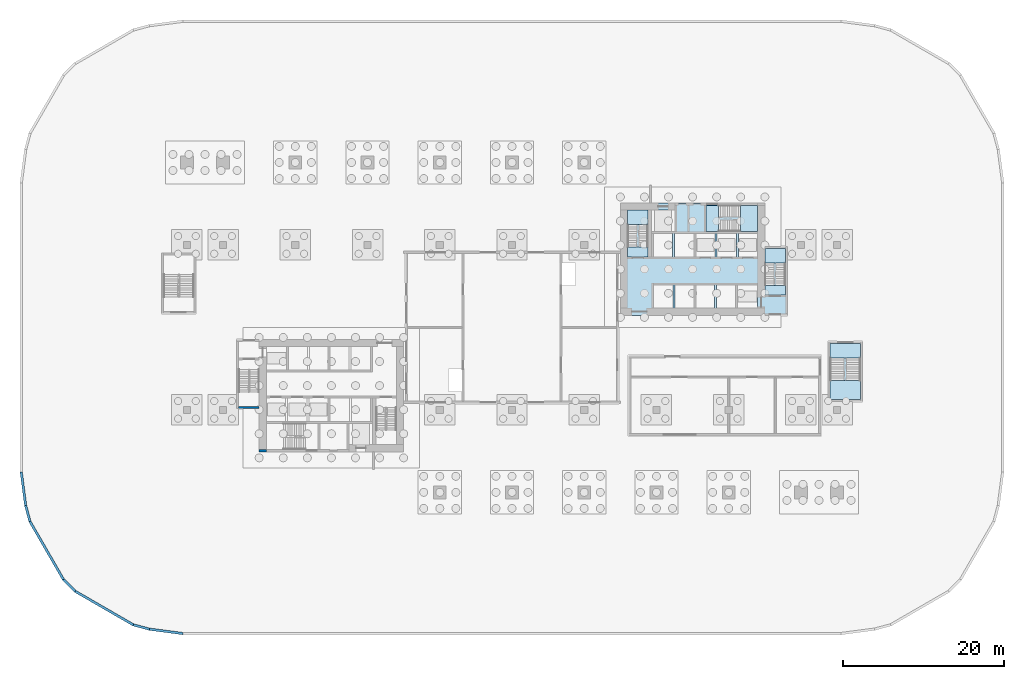
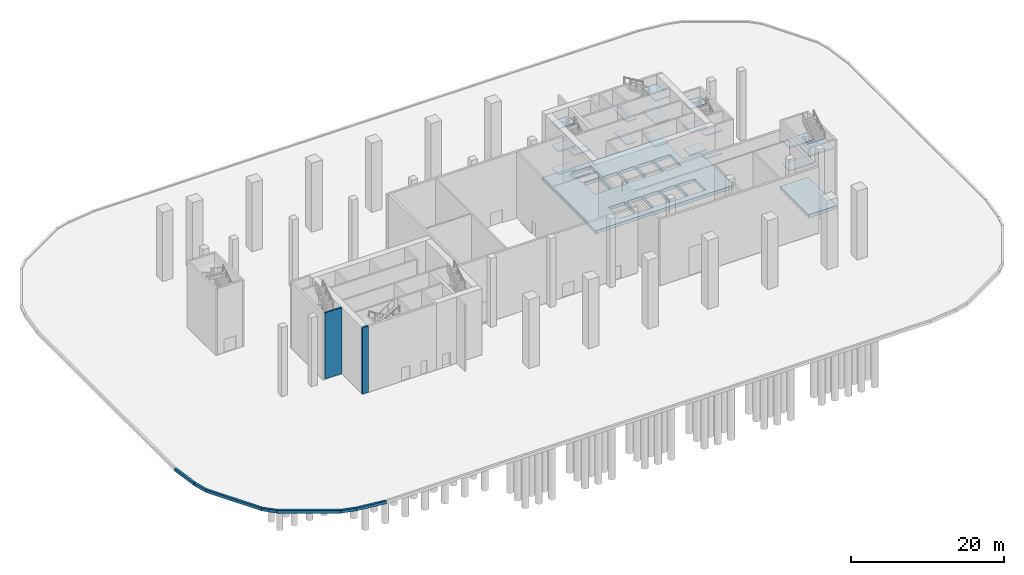
# One storey, part 3 of 26: 20 slabs, 9 walls, 4 elements without a shape of their own.
"""IFC4 building model written with IfcOpenShell, lengths in metres."""

from ifc_helpers import new_model, si_unit, direction, frame, frame_2d, origin, place, context, subcontext, project, spatial, polyline, rectangle, outline, extrude, material, layer, layer_set, type_object, element, aggregate, save


model = new_model("IFC4")

# Units and contexts
model_context = context("Model", 3, precision=1e-05, world=origin(), true_north=direction((0.0, 1.0)))
body_context = subcontext(model_context, "Body", "Model", "MODEL_VIEW")
ifc_project = project(units=[si_unit("LENGTHUNIT", "METRE"), si_unit("AREAUNIT", "SQUARE_METRE"), si_unit("VOLUMEUNIT", "CUBIC_METRE"), si_unit("PLANEANGLEUNIT", "RADIAN"), si_unit("MASSUNIT", "GRAM", prefix="KILO")], contexts=[model_context])

# Site, building, storey
site_placement = place(None, origin())
site = spatial("IfcSite", under=ifc_project, at=site_placement, CompositionType="ELEMENT")
building_placement = place(site_placement, origin())
building = spatial("IfcBuilding", under=site, at=building_placement, Name="Kajstack Hotel Tower", CompositionType="ELEMENT")
storey_placement = place(building_placement, origin())
storey = spatial("IfcBuildingStorey", under=building, at=storey_placement, Name="L00", CompositionType="ELEMENT", Elevation=0.0)

# Slabs
ifc_material_1 = material(Name="Concrete C35/45", Category="concrete")
ifc_layer_1 = layer(ifc_material_1, 0.5)
ifc_layer_set_1 = layer_set([ifc_layer_1], Name="Ground slab 500")
slab_type_1 = type_object("IfcSlabType", Name="Ground slab 500", PredefinedType="BASESLAB", material=ifc_layer_set_1)
slab_1_placement = place(storey_placement, frame((0.0, 0.0, -0.5)))
element("IfcSlab", 1, at=slab_1_placement, inside=storey, type_object=slab_type_1, Name="Ground slab", PredefinedType="BASESLAB", context=body_context, shape_type="SweptSolid", body=[
    extrude(outline(polyline([(13.5, 1.5), (13.5, 15.5), (31.5, 15.5), (31.5, 10.10009765625), (34.300048828125, 10.10009765625), (34.300048828125, 1.5), (31.5, 1.5), (13.5, 1.5)]), holes=[polyline([(30.60009765625, 11.699951171875), (28.199951171875, 11.699951171875), (28.199951171875, 8.800048828125), (30.60009765625, 8.800048828125), (30.60009765625, 11.699951171875)]), polyline([(27.949951171875, 11.699951171875), (25.550048828125, 11.699951171875), (25.550048828125, 8.800048828125), (27.949951171875, 8.800048828125), (27.949951171875, 11.699951171875)]), polyline([(25.300048828125, 11.699951171875), (22.89990234375, 11.699951171875), (22.89990234375, 8.800048828125), (25.300048828125, 8.800048828125), (25.300048828125, 11.699951171875)]), polyline([(22.64990234375, 11.699951171875), (20.25, 11.699951171875), (20.25, 8.800048828125), (22.64990234375, 8.800048828125), (22.64990234375, 11.699951171875)]), polyline([(20.0, 11.699951171875), (17.60009765625, 11.699951171875), (17.60009765625, 8.800048828125), (20.0, 8.800048828125), (20.0, 11.699951171875)]), polyline([(27.85009765625, 5.300048828125), (25.5, 5.300048828125), (25.5, 2.39990234375), (27.85009765625, 2.39990234375), (27.85009765625, 5.300048828125)]), polyline([(25.25, 5.300048828125), (22.89990234375, 5.300048828125), (22.89990234375, 2.39990234375), (25.25, 2.39990234375), (25.25, 5.300048828125)]), polyline([(22.64990234375, 5.300048828125), (20.300048828125, 5.300048828125), (20.300048828125, 2.39990234375), (22.64990234375, 2.39990234375), (22.64990234375, 5.300048828125)]), polyline([(20.050048828125, 5.300048828125), (17.60009765625, 5.300048828125), (17.60009765625, 2.39990234375), (20.050048828125, 2.39990234375), (20.050048828125, 5.300048828125)]), polyline([(20.300048828125, 14.60009765625), (17.35009765625, 14.60009765625), (17.35009765625, 11.949951171875), (20.300048828125, 11.949951171875), (20.300048828125, 14.60009765625)]), polyline([(30.60009765625, 5.300048828125), (28.10009765625, 5.300048828125), (28.10009765625, 2.39990234375), (30.60009765625, 2.39990234375), (30.60009765625, 5.300048828125)])]), origin(), (0.0, 0.0, 1.0), 0.5),
])
slab_2_placement = place(storey_placement, frame((0.0, 0.0, -0.5)))
element("IfcSlab", 2, at=slab_2_placement, inside=storey, type_object=slab_type_1, Name="Ground slab", PredefinedType="BASESLAB", context=body_context, shape_type="SweptSolid", body=[
    extrude(outline(polyline([(39.39990234375, -1.75), (43.64990234375, -1.75), (43.64990234375, -9.25), (39.39990234375, -9.25), (39.39990234375, -1.75)])), origin(), (0.0, 0.0, 1.0), 0.5),
])

# Stair, slabs
ifc_material_2 = material(Name="Concrete C40/50", Category="concrete")
stair_type_1 = type_object("IfcStairType", Name="Exit stair 1200", PredefinedType="HALF_TURN_STAIR", material=ifc_material_2)
stair_1_placement = place(storey_placement, origin())
stair_1 = element("IfcStair", 3, at=stair_1_placement, inside=storey, type_object=stair_type_1, Name="L00 stair E1", PredefinedType="HALF_TURN_STAIR")
ifc_layer_2 = layer(ifc_material_2, 0.199951171875)
ifc_layer_set_2 = layer_set([ifc_layer_2], Name="Stair landing 200")
slab_type_2 = type_object("IfcSlabType", Name="Stair landing 200", PredefinedType="LANDING", material=ifc_layer_set_2)
slab_3_placement = place(storey_placement, frame((0.0, 0.0, 1.63330078125)))
slab_3 = element("IfcSlab", 4, at=slab_3_placement, type_object=slab_type_2, Name="E1 landing 1", PredefinedType="LANDING", context=body_context, shape_type="SweptSolid", body=[
    extrude(outline(polyline([(34.050048828125, 8.050048828125), (34.050048828125, 9.85009765625), (31.5, 9.85009765625), (31.5, 8.050048828125), (34.050048828125, 8.050048828125)])), origin(), (0.0, 0.0, 1.0), 0.199951171875),
])
slab_4_placement = place(storey_placement, frame((0.0, 0.0, 3.466552734375)))
slab_4 = element("IfcSlab", 5, at=slab_4_placement, type_object=slab_type_2, Name="E1 landing 2", PredefinedType="LANDING", context=body_context, shape_type="SweptSolid", body=[
    extrude(outline(polyline([(34.050048828125, 4.050048828125), (34.050048828125, 5.25), (31.5, 5.25), (31.5, 4.050048828125), (34.050048828125, 4.050048828125)])), origin(), (0.0, 0.0, 1.0), 0.2001953125),
])
slab_5_placement = place(storey_placement, frame((0.0, 0.0, 5.300048828125)))
slab_5 = element("IfcSlab", 6, at=slab_5_placement, type_object=slab_type_2, Name="E1 landing 3", PredefinedType="LANDING", context=body_context, shape_type="SweptSolid", body=[
    extrude(outline(polyline([(34.050048828125, 8.050048828125), (34.050048828125, 9.85009765625), (31.5, 9.85009765625), (31.5, 8.050048828125), (34.050048828125, 8.050048828125)])), origin(), (0.0, 0.0, 1.0), 0.199951171875),
])
slab_6_placement = place(storey_placement, frame((0.0, 0.0, 7.13330078125)))
slab_6 = element("IfcSlab", 7, at=slab_6_placement, type_object=slab_type_2, Name="E1 landing 4", PredefinedType="LANDING", context=body_context, shape_type="SweptSolid", body=[
    extrude(outline(polyline([(34.050048828125, 4.050048828125), (34.050048828125, 5.25), (31.5, 5.25), (31.5, 4.050048828125), (34.050048828125, 4.050048828125)])), origin(), (0.0, 0.0, 1.0), 0.199951171875),
])
slab_7_placement = place(storey_placement, frame((0.0, 0.0, 8.966552734375)))
slab_7 = element("IfcSlab", 8, at=slab_7_placement, type_object=slab_type_2, Name="E1 landing 5", PredefinedType="LANDING", context=body_context, shape_type="SweptSolid", body=[
    extrude(outline(polyline([(34.050048828125, 8.050048828125), (34.050048828125, 9.85009765625), (31.5, 9.85009765625), (31.5, 8.050048828125), (34.050048828125, 8.050048828125)])), origin(), (0.0, 0.0, 1.0), 0.2001953125),
])
aggregate(stair_1, [slab_3, slab_4, slab_5, slab_6, slab_7])

stair_2_placement = place(storey_placement, origin())
stair_2 = element("IfcStair", 9, at=stair_2_placement, inside=storey, type_object=stair_type_1, Name="L00 stair E2", PredefinedType="HALF_TURN_STAIR")
slab_8_placement = place(storey_placement, frame((0.0, 0.0, 1.63330078125)))
slab_8 = element("IfcSlab", 10, at=slab_8_placement, type_object=slab_type_2, Name="E2 landing 1", PredefinedType="LANDING", context=body_context, shape_type="SweptSolid", body=[
    extrude(outline(polyline([(16.949951171875, 12.800048828125), (16.949951171875, 14.60009765625), (14.39990234375, 14.60009765625), (14.39990234375, 12.800048828125), (16.949951171875, 12.800048828125)])), origin(), (0.0, 0.0, 1.0), 0.199951171875),
])
slab_9_placement = place(storey_placement, frame((0.0, 0.0, 3.466552734375)))
slab_9 = element("IfcSlab", 11, at=slab_9_placement, type_object=slab_type_2, Name="E2 landing 2", PredefinedType="LANDING", context=body_context, shape_type="SweptSolid", body=[
    extrude(outline(polyline([(16.949951171875, 8.800048828125), (16.949951171875, 10.0), (14.39990234375, 10.0), (14.39990234375, 8.800048828125), (16.949951171875, 8.800048828125)])), origin(), (0.0, 0.0, 1.0), 0.2001953125),
])
slab_10_placement = place(storey_placement, frame((0.0, 0.0, 5.300048828125)))
slab_10 = element("IfcSlab", 12, at=slab_10_placement, type_object=slab_type_2, Name="E2 landing 3", PredefinedType="LANDING", context=body_context, shape_type="SweptSolid", body=[
    extrude(outline(polyline([(16.949951171875, 12.800048828125), (16.949951171875, 14.60009765625), (14.39990234375, 14.60009765625), (14.39990234375, 12.800048828125), (16.949951171875, 12.800048828125)])), origin(), (0.0, 0.0, 1.0), 0.199951171875),
])
slab_11_placement = place(storey_placement, frame((0.0, 0.0, 7.13330078125)))
slab_11 = element("IfcSlab", 13, at=slab_11_placement, type_object=slab_type_2, Name="E2 landing 4", PredefinedType="LANDING", context=body_context, shape_type="SweptSolid", body=[
    extrude(outline(polyline([(16.949951171875, 8.800048828125), (16.949951171875, 10.0), (14.39990234375, 10.0), (14.39990234375, 8.800048828125), (16.949951171875, 8.800048828125)])), origin(), (0.0, 0.0, 1.0), 0.199951171875),
])
slab_12_placement = place(storey_placement, frame((0.0, 0.0, 8.966552734375)))
slab_12 = element("IfcSlab", 14, at=slab_12_placement, type_object=slab_type_2, Name="E2 landing 5", PredefinedType="LANDING", context=body_context, shape_type="SweptSolid", body=[
    extrude(outline(polyline([(16.949951171875, 12.800048828125), (16.949951171875, 14.60009765625), (14.39990234375, 14.60009765625), (14.39990234375, 12.800048828125), (16.949951171875, 12.800048828125)])), origin(), (0.0, 0.0, 1.0), 0.2001953125),
])
aggregate(stair_2, [slab_8, slab_9, slab_10, slab_11, slab_12])

stair_type_2 = type_object("IfcStairType", Name="Exit stair 1500", PredefinedType="HALF_TURN_STAIR", material=ifc_material_2)
stair_3_placement = place(storey_placement, origin())
stair_3 = element("IfcStair", 15, at=stair_3_placement, inside=storey, type_object=stair_type_2, Name="L00 stair E3", PredefinedType="HALF_TURN_STAIR")
slab_13_placement = place(storey_placement, frame((0.0, 0.0, 1.63330078125)))
slab_13 = element("IfcSlab", 16, at=slab_13_placement, type_object=slab_type_2, Name="E3 landing 1", PredefinedType="LANDING", context=body_context, shape_type="SweptSolid", body=[
    extrude(outline(polyline([(28.5, 11.949951171875), (30.60009765625, 11.949951171875), (30.60009765625, 15.199951171875), (28.5, 15.199951171875), (28.5, 11.949951171875)])), origin(), (0.0, 0.0, 1.0), 0.199951171875),
])
slab_14_placement = place(storey_placement, frame((0.0, 0.0, 3.466552734375)))
slab_14 = element("IfcSlab", 17, at=slab_14_placement, type_object=slab_type_2, Name="E3 landing 2", PredefinedType="LANDING", context=body_context, shape_type="SweptSolid", body=[
    extrude(outline(polyline([(24.199951171875, 11.949951171875), (25.699951171875, 11.949951171875), (25.699951171875, 15.199951171875), (24.199951171875, 15.199951171875), (24.199951171875, 11.949951171875)])), origin(), (0.0, 0.0, 1.0), 0.2001953125),
])
slab_15_placement = place(storey_placement, frame((0.0, 0.0, 5.300048828125)))
slab_15 = element("IfcSlab", 18, at=slab_15_placement, type_object=slab_type_2, Name="E3 landing 3", PredefinedType="LANDING", context=body_context, shape_type="SweptSolid", body=[
    extrude(outline(polyline([(28.5, 11.949951171875), (30.60009765625, 11.949951171875), (30.60009765625, 15.199951171875), (28.5, 15.199951171875), (28.5, 11.949951171875)])), origin(), (0.0, 0.0, 1.0), 0.199951171875),
])
slab_16_placement = place(storey_placement, frame((0.0, 0.0, 7.13330078125)))
slab_16 = element("IfcSlab", 19, at=slab_16_placement, type_object=slab_type_2, Name="E3 landing 4", PredefinedType="LANDING", context=body_context, shape_type="SweptSolid", body=[
    extrude(outline(polyline([(24.199951171875, 11.949951171875), (25.699951171875, 11.949951171875), (25.699951171875, 15.199951171875), (24.199951171875, 15.199951171875), (24.199951171875, 11.949951171875)])), origin(), (0.0, 0.0, 1.0), 0.199951171875),
])
slab_17_placement = place(storey_placement, frame((0.0, 0.0, 8.966552734375)))
slab_17 = element("IfcSlab", 20, at=slab_17_placement, type_object=slab_type_2, Name="E3 landing 5", PredefinedType="LANDING", context=body_context, shape_type="SweptSolid", body=[
    extrude(outline(polyline([(28.5, 11.949951171875), (30.60009765625, 11.949951171875), (30.60009765625, 15.199951171875), (28.5, 15.199951171875), (28.5, 11.949951171875)])), origin(), (0.0, 0.0, 1.0), 0.2001953125),
])
aggregate(stair_3, [slab_13, slab_14, slab_15, slab_16, slab_17])

stair_type_3 = type_object("IfcStairType", Name="Escape stair 1800", PredefinedType="HALF_TURN_STAIR", material=ifc_material_2)
stair_4_placement = place(storey_placement, origin())
stair_4 = element("IfcStair", 21, at=stair_4_placement, inside=storey, type_object=stair_type_3, Name="L00 stair P2", PredefinedType="HALF_TURN_STAIR")
slab_18_placement = place(storey_placement, frame((0.0, 0.0, 3.466552734375)))
slab_18 = element("IfcSlab", 22, at=slab_18_placement, type_object=slab_type_2, Name="P2 landing 2", PredefinedType="LANDING", context=body_context, shape_type="SweptSolid", body=[
    extrude(outline(polyline([(39.64990234375, -2.0), (39.64990234375, -3.800048828125), (43.39990234375, -3.800048828125), (43.39990234375, -2.0), (39.64990234375, -2.0)])), origin(), (0.0, 0.0, 1.0), 0.2001953125),
])
slab_19_placement = place(storey_placement, frame((0.0, 0.0, 7.13330078125)))
slab_19 = element("IfcSlab", 23, at=slab_19_placement, type_object=slab_type_2, Name="P2 landing 4", PredefinedType="LANDING", context=body_context, shape_type="SweptSolid", body=[
    extrude(outline(polyline([(39.64990234375, -2.0), (39.64990234375, -3.800048828125), (43.39990234375, -3.800048828125), (43.39990234375, -2.0), (39.64990234375, -2.0)])), origin(), (0.0, 0.0, 1.0), 0.199951171875),
])
slab_20_placement = place(storey_placement, frame((0.0, 0.0, 8.966552734375)))
slab_20 = element("IfcSlab", 24, at=slab_20_placement, type_object=slab_type_2, Name="P2 landing 5", PredefinedType="LANDING", context=body_context, shape_type="SweptSolid", body=[
    extrude(outline(polyline([(39.64990234375, -6.60009765625), (39.64990234375, -9.0), (43.39990234375, -9.0), (43.39990234375, -6.60009765625), (39.64990234375, -6.60009765625)])), origin(), (0.0, 0.0, 1.0), 0.2001953125),
])
aggregate(stair_4, [slab_18, slab_19, slab_20])

# Walls
ifc_material_3 = material(Name="Concrete C60/75", Category="concrete")
ifc_layer_3 = layer(ifc_material_3, 0.89990234375)
ifc_layer_set_3 = layer_set([ifc_layer_3], Name="Core wall 900")
wall_type_1 = type_object("IfcWallType", Name="Core wall 900", PredefinedType="SHEAR", material=ifc_layer_set_3)
wall_1_placement = place(storey_placement, frame((-31.5, -15.35009765625, 0.0), z_axis=(0.0, 0.0, 1.0), x_axis=(1.0, 0.0, 0.0)))
element("IfcWall", 25, at=wall_1_placement, inside=storey, type_object=wall_type_1, Name="Core wall W RSW", PredefinedType="SHEAR", context=body_context, shape_type="SweptSolid", body=[
    extrude(rectangle(XDim=0.89990234375, YDim=0.300048828125, at=frame_2d((0.449951171875, 0.0))), origin(), (0.0, 0.0, 1.0), 10.550048828125),
])
ifc_material_4 = material(Name="Concrete C30/37", Category="concrete")
ifc_layer_4 = layer(ifc_material_4, 0.300048828125)
ifc_layer_set_4 = layer_set([ifc_layer_4], Name="PLINTH-KERB")
wall_type_2 = type_object("IfcWallType", Name="PLINTH-KERB", PredefinedType="SOLIDWALL", material=ifc_layer_set_4)
wall_2_placement = place(storey_placement, frame((0.0, 0.0, -0.300048828125)))
element("IfcWall", 26, at=wall_2_placement, inside=storey, type_object=wall_type_2, Name="Plaza kerb 01", PredefinedType="SOLIDWALL", context=body_context, shape_type="SweptSolid", body=[
    extrude(outline(polyline([(-60.454833984375, -22.14111328125), (-59.924072265625, -24.1220703125), (-60.20361328125, -24.23779296875), (-60.74462890625, -22.21875), (-60.454833984375, -22.14111328125)])), origin(), (0.0, 0.0, 1.0), 0.449951171875),
])
wall_3_placement = place(storey_placement, frame((0.0, 0.0, -0.300048828125)))
element("IfcWall", 27, at=wall_3_placement, inside=storey, type_object=wall_type_2, Name="Plaza kerb 02", PredefinedType="SOLIDWALL", context=body_context, shape_type="SweptSolid", body=[
    extrude(outline(polyline([(-59.924072265625, -24.1220703125), (-55.763916015625, -31.32763671875), (-56.00390625, -31.511962890625), (-60.20361328125, -24.23779296875), (-59.924072265625, -24.1220703125)])), origin(), (0.0, 0.0, 1.0), 0.449951171875),
])
wall_4_placement = place(storey_placement, frame((0.0, 0.0, -0.300048828125)))
element("IfcWall", 28, at=wall_4_placement, inside=storey, type_object=wall_type_2, Name="Plaza kerb 03", PredefinedType="SOLIDWALL", context=body_context, shape_type="SweptSolid", body=[
    extrude(outline(polyline([(-55.763916015625, -31.32763671875), (-54.32763671875, -32.763916015625), (-54.511962890625, -33.00390625), (-56.00390625, -31.511962890625), (-55.763916015625, -31.32763671875)])), origin(), (0.0, 0.0, 1.0), 0.449951171875),
])
wall_5_placement = place(storey_placement, frame((0.0, 0.0, -0.300048828125)))
element("IfcWall", 29, at=wall_5_placement, inside=storey, type_object=wall_type_2, Name="Plaza kerb 04", PredefinedType="SOLIDWALL", context=body_context, shape_type="SweptSolid", body=[
    extrude(outline(polyline([(-54.32763671875, -32.763916015625), (-47.1220703125, -36.924072265625), (-47.23779296875, -37.20361328125), (-54.511962890625, -33.00390625), (-54.32763671875, -32.763916015625)])), origin(), (0.0, 0.0, 1.0), 0.449951171875),
])
wall_6_placement = place(storey_placement, frame((0.0, 0.0, -0.300048828125)))
element("IfcWall", 30, at=wall_6_placement, inside=storey, type_object=wall_type_2, Name="Plaza kerb 05", PredefinedType="SOLIDWALL", context=body_context, shape_type="SweptSolid", body=[
    extrude(outline(polyline([(-47.1220703125, -36.924072265625), (-45.150634765625, -37.4521484375), (-45.209228515625, -37.7470703125), (-47.23779296875, -37.20361328125), (-47.1220703125, -36.924072265625)])), origin(), (0.0, 0.0, 1.0), 0.449951171875),
])
wall_7_placement = place(storey_placement, frame((0.0, 0.0, -0.300048828125)))
element("IfcWall", 31, at=wall_7_placement, inside=storey, type_object=wall_type_2, Name="Plaza kerb 06", PredefinedType="SOLIDWALL", context=body_context, shape_type="SweptSolid", body=[
    extrude(outline(polyline([(-45.150634765625, -37.4521484375), (-40.990234375, -38.0), (-41.009765625, -38.300048828125), (-45.209228515625, -37.7470703125), (-45.150634765625, -37.4521484375)])), origin(), (0.0, 0.0, 1.0), 0.449951171875),
])
wall_8_placement = place(storey_placement, frame((0.0, 0.0, -0.300048828125)))
element("IfcWall", 32, at=wall_8_placement, inside=storey, type_object=wall_type_2, Name="Plaza kerb 32", PredefinedType="SOLIDWALL", context=body_context, shape_type="SweptSolid", body=[
    extrude(outline(polyline([(-61.0, -17.990234375), (-60.450927734375, -22.160400390625), (-60.74853515625, -22.199462890625), (-61.300048828125, -18.009765625), (-61.0, -17.990234375)])), origin(), (0.0, 0.0, 1.0), 0.449951171875),
])
ifc_layer_5 = layer(ifc_material_2, 0.25)
ifc_layer_set_5 = layer_set([ifc_layer_5], Name="Stair enclosure wall 250")
wall_type_3 = type_object("IfcWallType", Name="Stair enclosure wall 250", PredefinedType="SHEAR", material=ifc_layer_set_5)
wall_9_placement = place(storey_placement, frame((-34.050048828125, -9.97509765625, 0.0), z_axis=(0.0, 0.0, 1.0), x_axis=(1.0, 0.0, 0.0)))
element("IfcWall", 33, at=wall_9_placement, inside=storey, type_object=wall_type_3, Name="Core wall W W1S", PredefinedType="SHEAR", context=body_context, shape_type="SweptSolid", body=[
    extrude(rectangle(XDim=2.550048828125, YDim=0.25, at=frame_2d((1.27490234375, 0.0))), origin(), (0.0, 0.0, 1.0), 10.550048828125),
])

save(model, "model.ifc")
